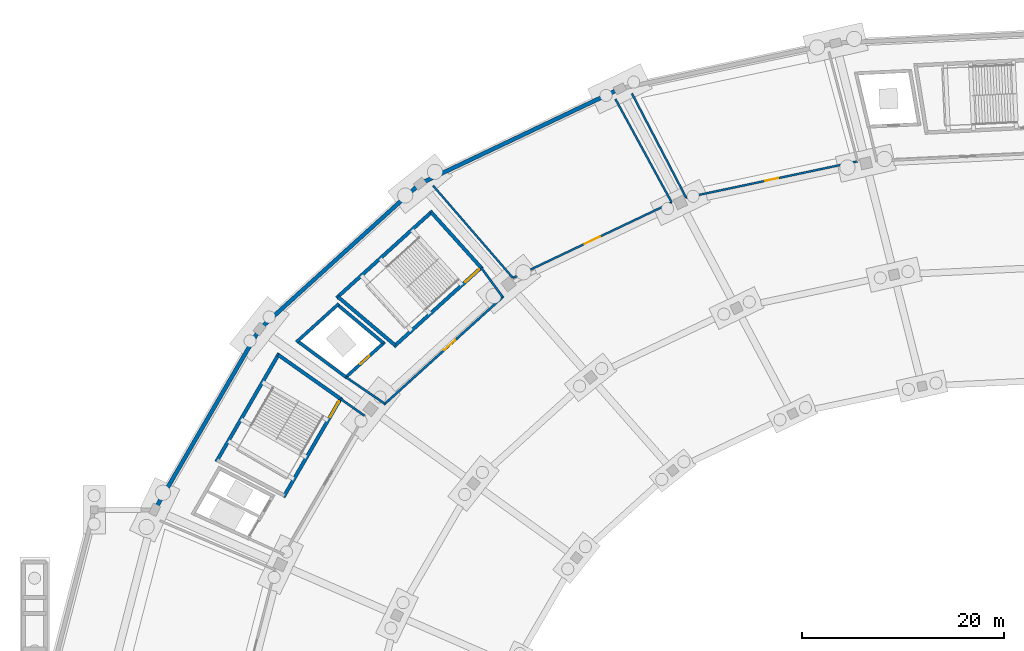
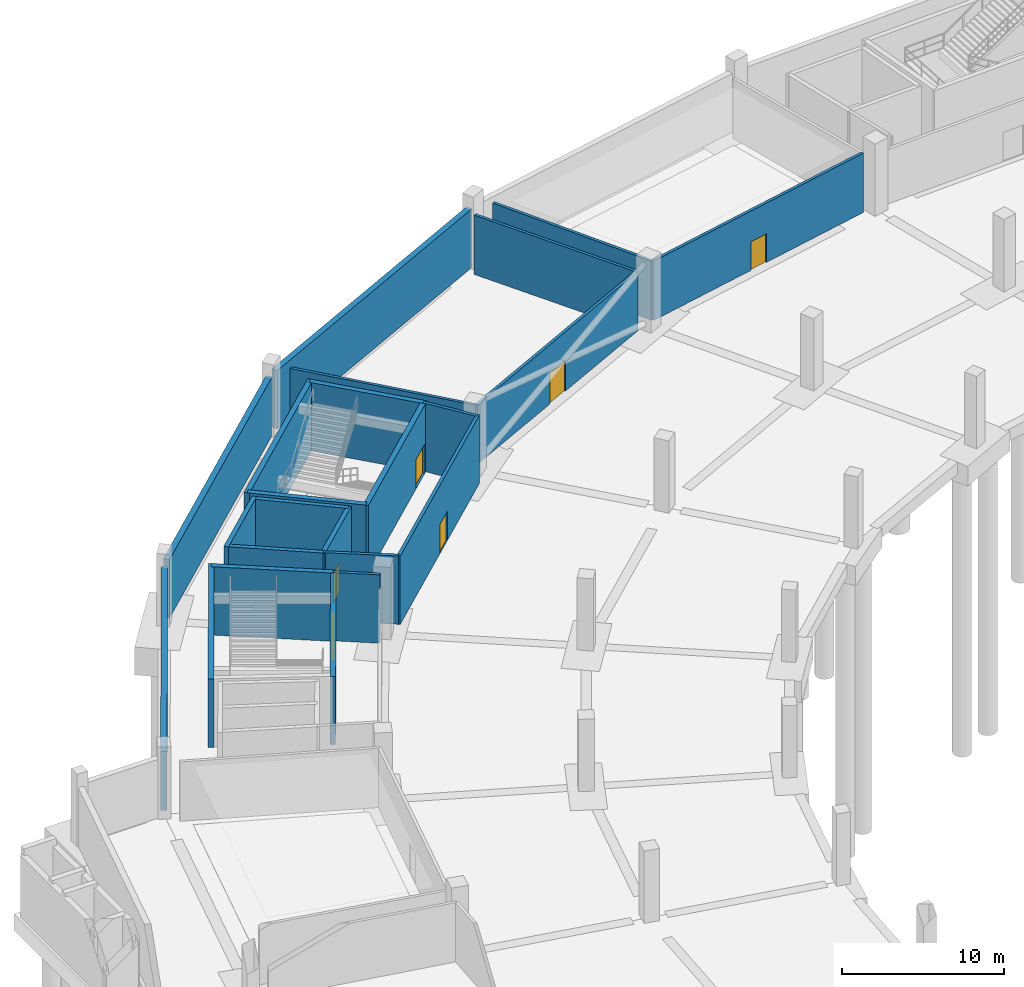
# One storey, part 16 of 49: 23 walls, 6 doors, 6 openings.
"""IFC4 building model written with IfcOpenShell, lengths in metres."""

from ifc_helpers import new_model, si_unit, direction, frame, frame_2d, origin, place, context, subcontext, project, spatial, rectangle, extrude, material, layer, layer_set, type_object, element, fill, save


model = new_model("IFC4")

# Units and contexts
model_context = context("Model", 3, precision=1e-05, world=origin(), true_north=direction((0.0, 1.0)))
body_context = subcontext(model_context, "Body", "Model", "MODEL_VIEW")
ifc_project = project(units=[si_unit("LENGTHUNIT", "METRE"), si_unit("AREAUNIT", "SQUARE_METRE"), si_unit("VOLUMEUNIT", "CUBIC_METRE"), si_unit("PLANEANGLEUNIT", "RADIAN"), si_unit("MASSUNIT", "GRAM", prefix="KILO")], contexts=[model_context])

# Site, building, storey
site_placement = place(None, origin())
site = spatial("IfcSite", under=ifc_project, at=site_placement, CompositionType="ELEMENT")
building_placement = place(site_placement, origin())
building = spatial("IfcBuilding", under=site, at=building_placement, Name="Kazemori Nagisa Stadium", CompositionType="ELEMENT")
storey_placement = place(building_placement, frame((0.0, 0.0, -5.43994140625)))
storey = spatial("IfcBuildingStorey", under=building, at=storey_placement, Name="B1", CompositionType="ELEMENT", Elevation=-5.43994140625)

# Walls
ifc_material_1 = material(Name="Concrete C40/50 (Fc42)", Category="concrete")
ifc_layer_1 = layer(ifc_material_1, 0.39990234375, Name="Concrete C40/50 (Fc42)", Category="concrete")
ifc_layer_set_1 = layer_set([ifc_layer_1], Name="Concrete C40/50 (Fc42)")
wall_type_1 = type_object("IfcWallType", Name="Wall_W-B1-RET-400", PredefinedType="SOLIDWALL", material=ifc_layer_set_1)
wall_1_placement = place(storey_placement, frame((79.843017578125, 182.296875, 0.0), z_axis=(0.0, 0.0, 1.0), x_axis=(-0.903214032263, -0.429190414528, 0.0)))
element("IfcWall", 1, at=wall_1_placement, inside=storey, type_object=wall_type_1, Name="Basement perimeter retaining wall B1-10", PredefinedType="SOLIDWALL", context=body_context, shape_type="SweptSolid", body=[
    extrude(rectangle(XDim=21.134033203125, YDim=0.39990234375, at=frame_2d((10.56689453125, 0.0))), origin(), (0.0, 0.0, 1.0), 4.419921875),
])
wall_2_placement = place(storey_placement, frame((60.11279296875, 172.797119140625, 0.0), z_axis=(0.0, 0.0, 1.0), x_axis=(-0.741354093053, -0.671114080253, 0.0)))
element("IfcWall", 2, at=wall_2_placement, inside=storey, type_object=wall_type_1, Name="Basement perimeter retaining wall B1-11", PredefinedType="SOLIDWALL", context=body_context, shape_type="SweptSolid", body=[
    extrude(rectangle(XDim=20.66357421875, YDim=0.39990234375, at=frame_2d((10.331787109375, 0.0))), origin(), (0.0, 0.0, 1.0), 4.419921875),
])
wall_3_placement = place(storey_placement, frame((44.30908203125, 158.330322265625, 0.0), z_axis=(0.0, 0.0, 1.0), x_axis=(-0.501609752715, -0.865094015689, 0.0)))
element("IfcWall", 3, at=wall_3_placement, inside=storey, type_object=wall_type_1, Name="Basement perimeter retaining wall B1-12", PredefinedType="SOLIDWALL", context=body_context, shape_type="SweptSolid", body=[
    extrude(rectangle(XDim=19.932373046875, YDim=0.39990234375, at=frame_2d((9.96630859375, 0.0))), origin(), (0.0, 0.0, 1.0), 4.419921875),
])

# Wall, opening, door
ifc_layer_2 = layer(ifc_material_1, 0.35009765625, Name="Concrete C40/50 (Fc42)", Category="concrete")
ifc_layer_set_2 = layer_set([ifc_layer_2], Name="Concrete C40/50 (Fc42)")
wall_type_2 = type_object("IfcWallType", Name="Wall_W-CORE-350", PredefinedType="SHEAR", material=ifc_layer_set_2)
wall_4_placement = place(storey_placement, frame((66.583251953125, 164.860107421875, 0.0), z_axis=(0.0, 0.0, 1.0), x_axis=(-0.741348929385, -0.671119784315, 0.0)))
wall_4 = element("IfcWall", 4, at=wall_4_placement, inside=storey, type_object=wall_type_2, Name="Core stair front shear wall ST02 B1", PredefinedType="SHEAR", context=body_context, shape_type="SweptSolid", body=[
    extrude(rectangle(XDim=11.826416015625, YDim=0.35009765625, at=frame_2d((5.9130859375, 0.0))), origin(), (0.0, 0.0, 1.0), 5.139892578125),
])
opening_1_placement = place(wall_4_placement, frame((0.47509765625, 0.0, 0.0)))
opening_1 = element("IfcOpeningElement", 5, at=opening_1_placement, cuts=wall_4, Name="Opening D-ST-1800", PredefinedType="OPENING", context=body_context, shape_type="SweptSolid", body=[
    extrude(rectangle(XDim=1.800048828125, YDim=2.199951171875, at=frame_2d((0.89990234375, 1.10009765625))), frame((0.0, 0.18505859375, 0.0), z_axis=(0.0, -1.0, 0.0), x_axis=(1.0, 0.0, 0.0)), (0.0, 0.0, 1.0), 0.3701171875),
])
ifc_material_2 = material(Name="Galvanised steel sheet", Category="steel")
door_type_1 = type_object("IfcDoorType", Name="Door_D-ST-1800", OperationType="NOTDEFINED", PredefinedType="DOOR", material=ifc_material_2)
door_1_placement = place(opening_1_placement, frame((1.800048828125, 0.0, 0.0), z_axis=(0.0, 0.0, 1.0), x_axis=(-1.0, 0.0, 0.0)))
door_1 = element("IfcDoor", 6, at=door_1_placement, inside=storey, type_object=door_type_1, Name="Exit stair fire door ST02-B1", OperationType="SINGLE_SWING_RIGHT", OverallHeight=2.199951171875, OverallWidth=1.800048828125, PredefinedType="DOOR", context=body_context, shape_type="SweptSolid", body=[
    extrude(rectangle(XDim=1.800048828125, YDim=2.199951171875, at=frame_2d((0.89990234375, 1.10009765625))), frame((0.0, 0.02490234375, 0.0), z_axis=(0.0, -1.0, 0.0), x_axis=(1.0, 0.0, 0.0)), (0.0, 0.0, 1.0), 0.050048828125),
])
fill(opening_1, door_1)

# Walls
wall_5_placement = place(storey_placement, frame((61.638671875, 170.3466796875, 0.0), z_axis=(0.0, 0.0, 1.0), x_axis=(-0.741351373721, -0.671117084183, 0.0)))
element("IfcWall", 7, at=wall_5_placement, inside=storey, type_object=wall_type_2, Name="Core stair rear shear wall ST02 B1", PredefinedType="SHEAR", context=body_context, shape_type="SweptSolid", body=[
    extrude(rectangle(XDim=12.830322265625, YDim=0.35009765625, at=frame_2d((6.4150390625, 0.0))), origin(), (0.0, 0.0, 1.0), 5.139892578125),
])
wall_6_placement = place(storey_placement, frame((66.45361328125, 164.74267578125, 0.0), z_axis=(0.0, 0.0, 1.0), x_axis=(-0.669463145673, 0.742845270958, 0.0)))
element("IfcWall", 8, at=wall_6_placement, inside=storey, type_object=wall_type_2, Name="Core stair left shear wall ST02 B1", PredefinedType="SHEAR", context=body_context, shape_type="SweptSolid", body=[
    extrude(rectangle(XDim=7.385986328125, YDim=0.35009765625, at=frame_2d((3.69287109375, 0.0))), origin(), (0.0, 0.0, 1.0), 5.139892578125),
])
wall_7_placement = place(storey_placement, frame((57.9453125, 157.04052734375, 0.0), z_axis=(0.0, 0.0, 1.0), x_axis=(-0.763422324031, 0.64589964791, 0.0)))
element("IfcWall", 9, at=wall_7_placement, inside=storey, type_object=wall_type_2, Name="Core stair right shear wall ST02 B1", PredefinedType="SHEAR", context=body_context, shape_type="SweptSolid", body=[
    extrude(rectangle(XDim=7.45166015625, YDim=0.35009765625, at=frame_2d((3.725830078125, 0.0))), origin(), (0.0, 0.0, 1.0), 5.139892578125),
])

# Wall, opening, door
wall_8_placement = place(storey_placement, frame((52.6064453125, 151.89990234375, 0.0), z_axis=(0.0, 0.0, 1.0), x_axis=(-0.501587404838, -0.865106973332, 0.0)))
wall_8 = element("IfcWall", 10, at=wall_8_placement, inside=storey, type_object=wall_type_2, Name="Core stair front shear wall ST08 B1", PredefinedType="SHEAR", context=body_context, shape_type="SweptSolid", body=[
    extrude(rectangle(XDim=11.435302734375, YDim=0.35009765625, at=frame_2d((5.7177734375, 0.0))), origin(), (0.0, 0.0, 1.0), 5.139892578125),
])
opening_2_placement = place(wall_8_placement, frame((0.47509765625, 0.0, 0.0)))
opening_2 = element("IfcOpeningElement", 11, at=opening_2_placement, cuts=wall_8, Name="Opening D-ST-1800", PredefinedType="OPENING", context=body_context, shape_type="SweptSolid", body=[
    extrude(rectangle(XDim=1.800048828125, YDim=2.199951171875, at=frame_2d((0.89990234375, 1.10009765625))), frame((0.0, 0.18505859375, 0.0), z_axis=(0.0, -1.0, 0.0), x_axis=(1.0, 0.0, 0.0)), (0.0, 0.0, 1.0), 0.3701171875),
])
door_2_placement = place(opening_2_placement, frame((1.800048828125, 0.0, 0.0), z_axis=(0.0, 0.0, 1.0), x_axis=(-1.0, 0.0, 0.0)))
door_2 = element("IfcDoor", 12, at=door_2_placement, inside=storey, type_object=door_type_1, Name="Exit stair fire door ST08-B1", OperationType="SINGLE_SWING_RIGHT", OverallHeight=2.199951171875, OverallWidth=1.800048828125, PredefinedType="DOOR", context=body_context, shape_type="SweptSolid", body=[
    extrude(rectangle(XDim=1.800048828125, YDim=2.199951171875, at=frame_2d((0.89990234375, 1.10009765625))), frame((0.0, 0.02490234375, 0.0), z_axis=(0.0, -1.0, 0.0), x_axis=(1.0, 0.0, 0.0)), (0.0, 0.0, 1.0), 0.050048828125),
])
fill(opening_2, door_2)

# Walls
wall_9_placement = place(storey_placement, frame((46.443359375, 156.25, 0.0), z_axis=(0.0, 0.0, 1.0), x_axis=(-0.501601740165, -0.865098661577, 0.0)))
element("IfcWall", 13, at=wall_9_placement, inside=storey, type_object=wall_type_2, Name="Core stair rear shear wall ST08 B1", PredefinedType="SHEAR", context=body_context, shape_type="SweptSolid", body=[
    extrude(rectangle(XDim=12.404541015625, YDim=0.35009765625, at=frame_2d((6.2021484375, 0.0))), origin(), (0.0, 0.0, 1.0), 5.139892578125),
])
wall_10_placement = place(storey_placement, frame((52.518798828125, 151.748291015625, 0.0), z_axis=(0.0, 0.0, 1.0), x_axis=(-0.816983109824, 0.576661597701, 0.0)))
element("IfcWall", 14, at=wall_10_placement, inside=storey, type_object=wall_type_2, Name="Core stair left shear wall ST08 B1", PredefinedType="SHEAR", context=body_context, shape_type="SweptSolid", body=[
    extrude(rectangle(XDim=7.5439453125, YDim=0.35009765625, at=frame_2d((3.77197265625, 0.0))), origin(), (0.0, 0.0, 1.0), 5.139892578125),
])

# Wall, opening, door
ifc_material_3 = material(Name="Concrete C36/45 (Fc36)", Category="concrete")
ifc_layer_3 = layer(ifc_material_3, 0.219970703125, Name="Concrete C36/45 (Fc36)", Category="concrete")
ifc_layer_set_3 = layer_set([ifc_layer_3], Name="Concrete C36/45 (Fc36)")
wall_type_3 = type_object("IfcWallType", Name="Wall_W-LOBBY-220", PredefinedType="SOLIDWALL", material=ifc_layer_set_3)
wall_11_placement = place(storey_placement, frame((68.672607421875, 161.89794921875, 0.0), z_axis=(0.0, 0.0, 1.0), x_axis=(-0.741351035574, -0.671117457717, 0.0)))
wall_11 = element("IfcWall", 15, at=wall_11_placement, inside=storey, type_object=wall_type_3, Name="Core lobby fire wall ST02 B1", PredefinedType="SOLIDWALL", context=body_context, shape_type="SweptSolid", body=[
    extrude(rectangle(XDim=15.96923828125, YDim=0.219970703125, at=frame_2d((7.984619140625, 0.0))), origin(), (0.0, 0.0, 1.0), 5.139892578125),
])
opening_3_placement = place(wall_11_placement, frame((6.447021484375, 0.0, 0.0)))
opening_3 = element("IfcOpeningElement", 16, at=opening_3_placement, cuts=wall_11, Name="Opening D-FFL-1500", PredefinedType="OPENING", context=body_context, shape_type="SweptSolid", body=[
    extrude(rectangle(XDim=1.5, YDim=2.199951171875, at=frame_2d((0.75, 1.10009765625))), frame((0.0, 0.119873046875, 0.0), z_axis=(0.0, -1.0, 0.0), x_axis=(1.0, 0.0, 0.0)), (0.0, 0.0, 1.0), 0.239990234375),
])
door_type_2 = type_object("IfcDoorType", Name="Door_D-FFL-1500", OperationType="NOTDEFINED", PredefinedType="DOOR", material=ifc_material_2)
door_3_placement = place(opening_3_placement, frame((1.5, 0.0, 0.0), z_axis=(0.0, 0.0, 1.0), x_axis=(-1.0, 0.0, 0.0)))
door_3 = element("IfcDoor", 17, at=door_3_placement, inside=storey, type_object=door_type_2, Name="Protected lobby fire door ST02-B1", OperationType="DOUBLE_DOOR_SINGLE_SWING", OverallHeight=2.199951171875, OverallWidth=1.5, PredefinedType="DOOR", context=body_context, shape_type="SweptSolid", body=[
    extrude(rectangle(XDim=1.5, YDim=2.199951171875, at=frame_2d((0.75, 1.10009765625))), frame((0.0, 0.02490234375, 0.0), z_axis=(0.0, -1.0, 0.0), x_axis=(1.0, 0.0, 0.0)), (0.0, 0.0, 1.0), 0.050048828125),
])
fill(opening_3, door_3)

# Walls
wall_12_placement = place(storey_placement, frame((68.591064453125, 161.823974609375, 0.0), z_axis=(0.0, 0.0, 1.0), x_axis=(-0.590836915359, 0.806791013491, 0.0)))
element("IfcWall", 18, at=wall_12_placement, inside=storey, type_object=wall_type_3, Name="Core lobby left wall ST02 B1", PredefinedType="SOLIDWALL", context=body_context, shape_type="SweptSolid", body=[
    extrude(rectangle(XDim=3.61767578125, YDim=0.219970703125, at=frame_2d((1.808837890625, 0.0))), origin(), (0.0, 0.0, 1.0), 5.139892578125),
])
wall_13_placement = place(storey_placement, frame((56.915283203125, 151.25439453125, 0.0), z_axis=(0.0, 0.0, 1.0), x_axis=(-0.825385410642, 0.564569680287, 0.0)))
element("IfcWall", 19, at=wall_13_placement, inside=storey, type_object=wall_type_3, Name="Core lobby right wall ST02 B1", PredefinedType="SOLIDWALL", context=body_context, shape_type="SweptSolid", body=[
    extrude(rectangle(XDim=4.673828125, YDim=0.219970703125, at=frame_2d((2.3369140625, 0.0))), origin(), (0.0, 0.0, 1.0), 5.139892578125),
])
wall_14_placement = place(storey_placement, frame((54.88916015625, 150.0751953125, 0.0), z_axis=(0.0, 0.0, 1.0), x_axis=(-0.816984187086, 0.57666007149, 0.0)))
element("IfcWall", 20, at=wall_14_placement, inside=storey, type_object=wall_type_3, Name="Core lobby left wall ST08 B1", PredefinedType="SOLIDWALL", context=body_context, shape_type="SweptSolid", body=[
    extrude(rectangle(XDim=2.9013671875, YDim=0.219970703125, at=frame_2d((1.45068359375, 0.0))), origin(), (0.0, 0.0, 1.0), 5.139892578125),
])

# Wall, opening, door
ifc_material_4 = material(Name="Autoclaved aerated concrete blockwork", Category="masonry")
ifc_layer_4 = layer(ifc_material_4, 0.199951171875, Name="Autoclaved aerated concrete blockwork", Category="masonry")
ifc_layer_set_4 = layer_set([ifc_layer_4], Name="Autoclaved aerated concrete blockwork")
wall_type_4 = type_object("IfcWallType", Name="Wall_W-PART-200", PredefinedType="PARTITIONING", material=ifc_layer_set_4)
wall_15_placement = place(storey_placement, frame((103.747802734375, 175.272216796875, 0.0), z_axis=(0.0, 0.0, 1.0), x_axis=(-0.978347075804, -0.206971010692, 0.0)))
wall_15 = element("IfcWall", 21, at=wall_15_placement, inside=storey, type_object=wall_type_4, Name="Room corridor partition B1-B09", PredefinedType="PARTITIONING", context=body_context, shape_type="SweptSolid", body=[
    extrude(rectangle(XDim=17.3681640625, YDim=0.199951171875, at=frame_2d((8.68408203125, 0.0))), origin(), (0.0, 0.0, 1.0), 4.4599609375),
])
opening_4_placement = place(wall_15_placement, frame((8.0439453125, 0.0, 0.0)))
opening_4 = element("IfcOpeningElement", 22, at=opening_4_placement, cuts=wall_15, Name="Opening D-MEDR-1280", PredefinedType="OPENING", context=body_context, shape_type="SweptSolid", body=[
    extrude(rectangle(XDim=1.280029296875, YDim=2.14990234375, at=frame_2d((0.64013671875, 1.074951171875))), frame((0.0, 0.10986328125, 0.0), z_axis=(0.0, -1.0, 0.0), x_axis=(1.0, 0.0, 0.0)), (0.0, 0.0, 1.0), 0.219970703125),
])
door_type_3 = type_object("IfcDoorType", Name="Door_D-MEDR-1280", OperationType="NOTDEFINED", PredefinedType="DOOR", material=ifc_material_2)
door_4_placement = place(opening_4_placement, origin())
door_4 = element("IfcDoor", 23, at=door_4_placement, inside=storey, type_object=door_type_3, Name="Room entrance door D-MEDR-1280 B1-B09", OperationType="SINGLE_SWING_LEFT", OverallHeight=2.14990234375, OverallWidth=1.280029296875, PredefinedType="DOOR", context=body_context, shape_type="SweptSolid", body=[
    extrude(rectangle(XDim=1.280029296875, YDim=2.14990234375, at=frame_2d((0.64013671875, 1.074951171875))), frame((0.0, 0.02490234375, 0.0), z_axis=(0.0, -1.0, 0.0), x_axis=(1.0, 0.0, 0.0)), (0.0, 0.0, 1.0), 0.050048828125),
])
fill(opening_4, door_4)

# Wall
wall_16_placement = place(storey_placement, frame((86.755615234375, 171.677490234375, 0.0), z_axis=(0.0, 0.0, 1.0), x_axis=(-0.46148287956, 0.88714911479, 0.0)))
element("IfcWall", 24, at=wall_16_placement, inside=storey, type_object=wall_type_4, Name="Room radial partition B1-B09-R", PredefinedType="PARTITIONING", context=body_context, shape_type="SweptSolid", body=[
    extrude(rectangle(XDim=11.635498046875, YDim=0.199951171875, at=frame_2d((5.81787109375, 0.0))), origin(), (0.0, 0.0, 1.0), 4.4599609375),
])

# Wall, opening, door
wall_17_placement = place(storey_placement, frame((85.332763671875, 171.196044921875, 0.0), z_axis=(0.0, 0.0, 1.0), x_axis=(-0.903217202186, -0.429183743488, 0.0)))
wall_17 = element("IfcWall", 25, at=wall_17_placement, inside=storey, type_object=wall_type_4, Name="Room corridor partition B1-B10", PredefinedType="PARTITIONING", context=body_context, shape_type="SweptSolid", body=[
    extrude(rectangle(XDim=17.419189453125, YDim=0.199951171875, at=frame_2d((8.70947265625, 0.0))), origin(), (0.0, 0.0, 1.0), 4.4599609375),
])
opening_5_placement = place(wall_17_placement, frame((7.8701171875, 0.0, 0.0)))
opening_5 = element("IfcOpeningElement", 26, at=opening_5_placement, cuts=wall_17, Name="Opening D-WRM-1680", PredefinedType="OPENING", context=body_context, shape_type="SweptSolid", body=[
    extrude(rectangle(XDim=1.679931640625, YDim=2.300048828125, at=frame_2d((0.83984375, 1.14990234375))), frame((0.0, 0.10986328125, 0.0), z_axis=(0.0, -1.0, 0.0), x_axis=(1.0, 0.0, 0.0)), (0.0, 0.0, 1.0), 0.219970703125),
])
door_type_4 = type_object("IfcDoorType", Name="Door_D-WRM-1680", OperationType="NOTDEFINED", PredefinedType="DOOR", material=ifc_material_2)
door_5_placement = place(opening_5_placement, origin())
door_5 = element("IfcDoor", 27, at=door_5_placement, inside=storey, type_object=door_type_4, Name="Room entrance door D-WRM-1680 B1-B10", OperationType="DOUBLE_DOOR_SINGLE_SWING", OverallHeight=2.300048828125, OverallWidth=1.679931640625, PredefinedType="DOOR", context=body_context, shape_type="SweptSolid", body=[
    extrude(rectangle(XDim=1.679931640625, YDim=2.300048828125, at=frame_2d((0.83984375, 1.14990234375))), frame((0.0, 0.02490234375, 0.0), z_axis=(0.0, -1.0, 0.0), x_axis=(1.0, 0.0, 0.0)), (0.0, 0.0, 1.0), 0.050048828125),
])
fill(opening_5, door_5)

# Walls
wall_18_placement = place(storey_placement, frame((85.332763671875, 171.196044921875, 0.0), z_axis=(0.0, 0.0, 1.0), x_axis=(-0.478125060974, 0.878291765912, 0.0)))
element("IfcWall", 28, at=wall_18_placement, inside=storey, type_object=wall_type_4, Name="Room radial partition B1-B10-L", PredefinedType="PARTITIONING", context=body_context, shape_type="SweptSolid", body=[
    extrude(rectangle(XDim=11.671875, YDim=0.199951171875, at=frame_2d((5.8359375, 0.0))), origin(), (0.0, 0.0, 1.0), 4.4599609375),
])
wall_19_placement = place(storey_placement, frame((69.599365234375, 163.719970703125, 0.0), z_axis=(0.0, 0.0, 1.0), x_axis=(-0.654293035882, 0.756241114458, 0.0)))
element("IfcWall", 29, at=wall_19_placement, inside=storey, type_object=wall_type_4, Name="Room radial partition B1-B10-R", PredefinedType="PARTITIONING", context=body_context, shape_type="SweptSolid", body=[
    extrude(rectangle(XDim=12.091064453125, YDim=0.199951171875, at=frame_2d((6.04541015625, 0.0))), origin(), (0.0, 0.0, 1.0), 4.4599609375),
])

# Wall, opening, door
ifc_layer_5 = layer(ifc_material_1, 0.300048828125, Name="Concrete C40/50 (Fc42)", Category="concrete")
ifc_layer_set_5 = layer_set([ifc_layer_5], Name="Concrete C40/50 (Fc42)")
wall_type_5 = type_object("IfcWallType", Name="Wall_W-SHAFT-300", PredefinedType="SHEAR", material=ifc_layer_set_5)
wall_20_placement = place(storey_placement, frame((56.89697265625, 157.368896484375, 0.0), z_axis=(0.0, 0.0, 1.0), x_axis=(-0.741350155641, -0.671118429736, 0.0)))
wall_20 = element("IfcWall", 30, at=wall_20_placement, inside=storey, type_object=wall_type_5, Name="Lift shaft front wall FL2 B1", PredefinedType="SHEAR", context=body_context, shape_type="SweptSolid", body=[
    extrude(rectangle(XDim=5.3291015625, YDim=0.300048828125, at=frame_2d((2.66455078125, 0.0))), origin(), (0.0, 0.0, 1.0), 5.139892578125),
])
opening_6_placement = place(wall_20_placement, frame((2.06494140625, 0.0, 0.0)))
opening_6 = element("IfcOpeningElement", 31, at=opening_6_placement, cuts=wall_20, Name="Opening LD-FF", PredefinedType="OPENING", context=body_context, shape_type="SweptSolid", body=[
    extrude(rectangle(XDim=1.199951171875, YDim=2.199951171875, at=frame_2d((0.60009765625, 1.10009765625))), frame((0.0, 0.159912109375, 0.0), z_axis=(0.0, -1.0, 0.0), x_axis=(1.0, 0.0, 0.0)), (0.0, 0.0, 1.0), 0.320068359375),
])
ifc_material_5 = material(Name="Stainless steel SUS304", Category="steel")
door_type_5 = type_object("IfcDoorType", Name="Door_LD-FF", OperationType="SLIDING_TO_LEFT", PredefinedType="DOOR", material=ifc_material_5)
door_6_placement = place(opening_6_placement, origin())
door_6 = element("IfcDoor", 32, at=door_6_placement, inside=storey, type_object=door_type_5, Name="Lift landing door FL2-B1", OperationType="SLIDING_TO_LEFT", OverallHeight=2.199951171875, OverallWidth=1.199951171875, PredefinedType="DOOR", context=body_context, shape_type="SweptSolid", body=[
    extrude(rectangle(XDim=1.199951171875, YDim=2.199951171875, at=frame_2d((0.60009765625, 1.10009765625))), frame((0.0, 0.02490234375, 0.0), z_axis=(0.0, -1.0, 0.0), x_axis=(1.0, 0.0, 0.0)), (0.0, 0.0, 1.0), 0.050048828125),
])
fill(opening_6, door_6)

# Walls
wall_21_placement = place(storey_placement, frame((52.345703125, 161.167724609375, 0.0), z_axis=(0.0, 0.0, 1.0), x_axis=(-0.74134208775, -0.671127341815, 0.0)))
element("IfcWall", 33, at=wall_21_placement, inside=storey, type_object=wall_type_5, Name="Lift shaft B wall FL2 B1", PredefinedType="SHEAR", context=body_context, shape_type="SweptSolid", body=[
    extrude(rectangle(XDim=5.674560546875, YDim=0.300048828125, at=frame_2d((2.83740234375, 0.0))), origin(), (0.0, 0.0, 1.0), 5.139892578125),
])
wall_22_placement = place(storey_placement, frame((56.785888671875, 157.26806640625, 0.0), z_axis=(0.0, 0.0, 1.0), x_axis=(-0.767711354146, 0.640795815151, 0.0)))
element("IfcWall", 34, at=wall_22_placement, inside=storey, type_object=wall_type_5, Name="Lift shaft L wall FL2 B1", PredefinedType="SHEAR", context=body_context, shape_type="SweptSolid", body=[
    extrude(rectangle(XDim=5.9287109375, YDim=0.300048828125, at=frame_2d((2.96435546875, 0.0))), origin(), (0.0, 0.0, 1.0), 5.139892578125),
])
wall_23_placement = place(storey_placement, frame((53.0576171875, 153.89306640625, 0.0), z_axis=(0.0, 0.0, 1.0), x_axis=(-0.803101805449, 0.59584183311, 0.0)))
element("IfcWall", 35, at=wall_23_placement, inside=storey, type_object=wall_type_5, Name="Lift shaft R wall FL2 B1", PredefinedType="SHEAR", context=body_context, shape_type="SweptSolid", body=[
    extrude(rectangle(XDim=5.986328125, YDim=0.300048828125, at=frame_2d((2.9931640625, 0.0))), origin(), (0.0, 0.0, 1.0), 5.139892578125),
])

save(model, "model.ifc")
